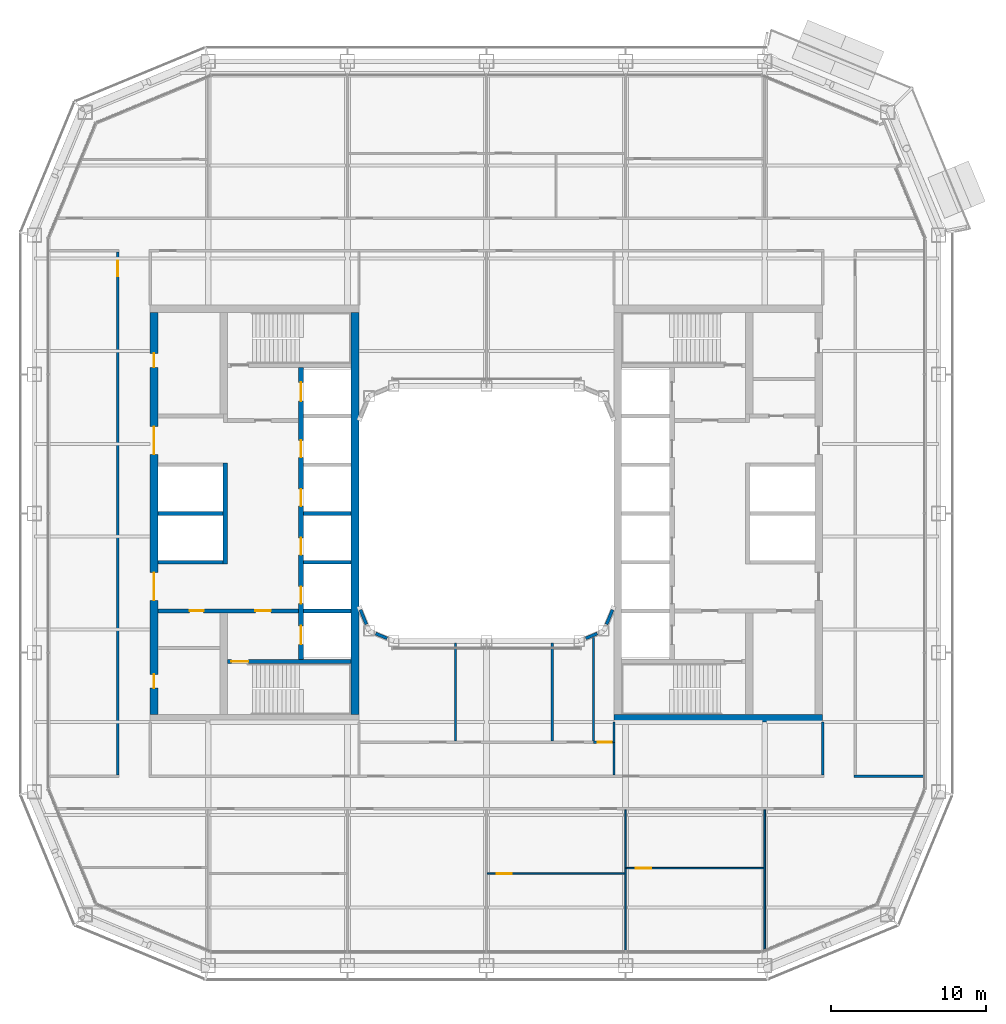
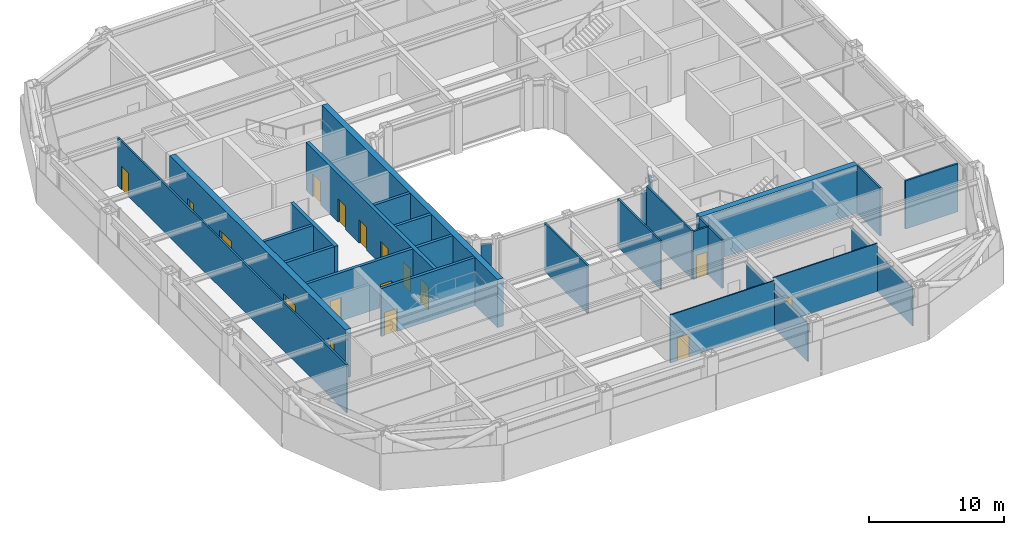
# One storey, part 12 of 24: 29 walls, 17 doors, 17 openings.
"""IFC4 building model written with IfcOpenShell, lengths in metres."""

from ifc_helpers import new_model, si_unit, direction, frame, frame_2d, origin, place, context, subcontext, project, spatial, rectangle, extrude, material, layer, layer_set, type_object, element, fill, save


model = new_model("IFC4")

# Units and contexts
model_context = context("Model", 3, precision=1e-05, world=origin(), true_north=direction((0.0, 1.0)))
body_context = subcontext(model_context, "Body", "Model", "MODEL_VIEW")
ifc_project = project(units=[si_unit("LENGTHUNIT", "METRE"), si_unit("AREAUNIT", "SQUARE_METRE"), si_unit("VOLUMEUNIT", "CUBIC_METRE"), si_unit("PLANEANGLEUNIT", "RADIAN"), si_unit("MASSUNIT", "GRAM", prefix="KILO")], contexts=[model_context])

# Site, building, storey
site_placement = place(None, origin())
site = spatial("IfcSite", under=ifc_project, at=site_placement, CompositionType="ELEMENT")
building_placement = place(site_placement, origin())
building = spatial("IfcBuilding", under=site, at=building_placement, Name="Siwar Civic Tower", CompositionType="ELEMENT")
storey_placement = place(building_placement, frame((0.0, 0.0, 113.699951171875)))
storey = spatial("IfcBuildingStorey", under=building, at=storey_placement, Name="L24", CompositionType="ELEMENT", Elevation=113.699951171875)

# Wall, opening, door
ifc_material_1 = material(Name="Gypsum board on steel studs", Category="steel")
ifc_layer_1 = layer(ifc_material_1, 0.14990234375)
ifc_layer_set_1 = layer_set([ifc_layer_1], Name="Gypsum board on steel studs")
wall_type_1 = type_object("IfcWallType", Name="COMPARTMENT PARTITION 150 EI 60", PredefinedType="PARTITIONING", material=ifc_layer_set_1)
wall_1_placement = place(storey_placement, frame((6.919921875, -14.800048828125, 0.0), z_axis=(0.0, 0.0, 1.0), x_axis=(1.0, 0.0, 0.0)))
wall_1 = element("IfcWall", 1, at=wall_1_placement, inside=storey, type_object=wall_type_1, Name="L24/wall/P10", PredefinedType="PARTITIONING", context=body_context, shape_type="SweptSolid", body=[
    extrude(rectangle(XDim=1.255126953125, YDim=0.14990234375, at=frame_2d((0.62744140625, 0.0))), origin(), (0.0, 0.0, 1.0), 4.35009765625),
])
opening_1_placement = place(wall_1_placement, frame((0.280029296875, 0.0, 0.0)))
opening_1 = element("IfcOpeningElement", 2, at=opening_1_placement, cuts=wall_1, Name="Opening D4", PredefinedType="OPENING", context=body_context, shape_type="SweptSolid", body=[
    extrude(rectangle(XDim=0.89990234375, YDim=2.10009765625, at=frame_2d((0.449951171875, 1.050048828125))), frame((0.0, 0.0849609375, 0.0), z_axis=(0.0, -1.0, 0.0), x_axis=(1.0, 0.0, 0.0)), (0.0, 0.0, 1.0), 0.169921875),
])
ifc_material_2 = material(Name="Timber, painted", Category="wood")
door_type_1 = type_object("IfcDoorType", Name="DOOR 900 X 2100 FD60", OperationType="SINGLE_SWING_LEFT", PredefinedType="DOOR", material=ifc_material_2)
door_1_placement = place(opening_1_placement, origin())
door_1 = element("IfcDoor", 3, at=door_1_placement, inside=storey, type_object=door_type_1, Name="L24-D28", OperationType="SINGLE_SWING_RIGHT", OverallHeight=2.10009765625, OverallWidth=0.89990234375, PredefinedType="DOOR", context=body_context, shape_type="SweptSolid", body=[
    extrude(rectangle(XDim=0.89990234375, YDim=2.10009765625, at=frame_2d((0.449951171875, 1.050048828125))), frame((0.0, 0.02490234375, 0.0), z_axis=(0.0, -1.0, 0.0), x_axis=(1.0, 0.0, 0.0)), (0.0, 0.0, 1.0), 0.050048828125),
])
fill(opening_1, door_1)

# Walls
wall_2_placement = place(storey_placement, frame((6.919921875, -14.72509765625, 0.0), z_axis=(0.0, 0.0, 1.0), x_axis=(0.0, 1.0, 0.0)))
element("IfcWall", 4, at=wall_2_placement, inside=storey, type_object=wall_type_1, Name="L24/wall/P34", PredefinedType="PARTITIONING", context=body_context, shape_type="SweptSolid", body=[
    extrude(rectangle(XDim=6.7001953125, YDim=0.14990234375, at=frame_2d((3.35009765625, 0.0))), origin(), (0.0, 0.0, 1.0), 4.35009765625),
])
wall_3_placement = place(storey_placement, frame((8.25, -14.800048828125, 0.0), z_axis=(0.0, 0.0, 1.0), x_axis=(0.0, 1.0, 0.0)))
element("IfcWall", 5, at=wall_3_placement, inside=storey, type_object=wall_type_1, Name="L24/wall/P37", PredefinedType="PARTITIONING", context=body_context, shape_type="SweptSolid", body=[
    extrude(rectangle(XDim=1.300048828125, YDim=0.14990234375, at=frame_2d((0.64990234375, 0.0))), origin(), (0.0, 0.0, 1.0), 4.35009765625),
])

# Wall, openings, doors
ifc_material_3 = material(Name="Concrete C60/75", Category="concrete")
ifc_layer_2 = layer(ifc_material_3, 0.25)
ifc_layer_set_2 = layer_set([ifc_layer_2], Name="Concrete C60/75")
wall_type_2 = type_object("IfcWallType", Name="CORE-WALL-RC250", PredefinedType="SHEAR", material=ifc_layer_set_2)
wall_4_placement = place(storey_placement, frame((-12.14990234375, -6.300048828125, 0.0), z_axis=(0.0, 0.0, 1.0), x_axis=(-1.0, 0.0, 0.0)))
wall_4 = element("IfcWall", 6, at=wall_4_placement, inside=storey, type_object=wall_type_2, Name="Core wall W", PredefinedType="SHEAR", context=body_context, shape_type="SweptSolid", body=[
    extrude(rectangle(XDim=9.10009765625, YDim=0.25, at=frame_2d((4.550048828125, 0.0))), origin(), (0.0, 0.0, 1.0), 4.35009765625),
])
opening_2_placement = place(wall_4_placement, frame((1.800048828125, 0.0, 0.0)))
opening_2 = element("IfcOpeningElement", 7, at=opening_2_placement, cuts=wall_4, Name="Opening L24-CW02", PredefinedType="OPENING", context=body_context, shape_type="SweptSolid", body=[
    extrude(rectangle(XDim=1.0, YDim=2.10009765625, at=frame_2d((0.5, 1.050048828125))), frame((0.0, 0.135009765625, 0.0), z_axis=(0.0, -1.0, 0.0), x_axis=(1.0, 0.0, 0.0)), (0.0, 0.0, 1.0), 0.27001953125),
])
opening_3_placement = place(wall_4_placement, frame((6.14990234375, 0.0, 0.0)))
opening_3 = element("IfcOpeningElement", 8, at=opening_3_placement, cuts=wall_4, Name="Opening L24-CW14", PredefinedType="OPENING", context=body_context, shape_type="SweptSolid", body=[
    extrude(rectangle(XDim=0.89990234375, YDim=2.10009765625, at=frame_2d((0.449951171875, 1.050048828125))), frame((0.0, 0.135009765625, 0.0), z_axis=(0.0, -1.0, 0.0), x_axis=(1.0, 0.0, 0.0)), (0.0, 0.0, 1.0), 0.27001953125),
])
ifc_material_4 = material(Name="Steel door leaf", Category="steel")
door_type_2 = type_object("IfcDoorType", Name="CORE-DOOR-FD30S", OperationType="SINGLE_SWING_LEFT", PredefinedType="DOOR", material=ifc_material_4)
door_2_placement = place(opening_2_placement, origin())
door_2 = element("IfcDoor", 9, at=door_2_placement, inside=storey, type_object=door_type_2, Name="Service lobby door L24-CW02", OperationType="SINGLE_SWING_RIGHT", OverallHeight=2.10009765625, OverallWidth=1.0, PredefinedType="DOOR", context=body_context, shape_type="SweptSolid", body=[
    extrude(rectangle(XDim=1.0, YDim=2.10009765625, at=frame_2d((0.5, 1.050048828125))), frame((0.0, 0.02490234375, 0.0), z_axis=(0.0, -1.0, 0.0), x_axis=(1.0, 0.0, 0.0)), (0.0, 0.0, 1.0), 0.050048828125),
])
fill(opening_2, door_2)
ifc_material_5 = material(Name="Steel door leaf", Category="steel")
door_type_3 = type_object("IfcDoorType", Name="CORE-DOOR-ROOM", OperationType="SINGLE_SWING_LEFT", PredefinedType="DOOR", material=ifc_material_5)
door_3_placement = place(opening_3_placement, origin())
door_3 = element("IfcDoor", 10, at=door_3_placement, inside=storey, type_object=door_type_3, Name="Core room door L24-CW14", OperationType="SINGLE_SWING_RIGHT", OverallHeight=2.10009765625, OverallWidth=0.89990234375, PredefinedType="DOOR", context=body_context, shape_type="SweptSolid", body=[
    extrude(rectangle(XDim=0.89990234375, YDim=2.10009765625, at=frame_2d((0.449951171875, 1.050048828125))), frame((0.0, 0.02490234375, 0.0), z_axis=(0.0, -1.0, 0.0), x_axis=(1.0, 0.0, 0.0)), (0.0, 0.0, 1.0), 0.050048828125),
])
fill(opening_3, door_3)

# Walls
for number, where, z_axis, x_axis, name in (
    (11, (-17.050048828125, 0.0, 0.0), (0.0, 0.0, 1.0), (-1.0, 0.0, 0.0), "Core wall W"),
    (12, (-17.050048828125, -3.14990234375, 0.0), (0.0, 0.0, 1.0), (-1.0, 0.0, 0.0), "Core wall W"),
):
    element("IfcWall", number, at=place(storey_placement, frame(where, z_axis=z_axis, x_axis=x_axis)), inside=storey, type_object=wall_type_2, Name=name, PredefinedType="SHEAR", context=body_context, shape_type="SweptSolid", body=[
        extrude(rectangle(XDim=4.199951171875, YDim=0.25, at=frame_2d((2.10009765625, 0.0))), origin(), (0.0, 0.0, 1.0), 4.35009765625),
    ])
for number, where, z_axis, x_axis, name in (
    (13, (-8.75, 0.0, 0.0), (0.0, 0.0, 1.0), (-1.0, 0.0, 0.0), "Core wall W"),
    (14, (-8.75, -3.14990234375, 0.0), (0.0, 0.0, 1.0), (-1.0, 0.0, 0.0), "Core wall W"),
    (15, (-8.75, -6.300048828125, 0.0), (0.0, 0.0, 1.0), (-1.0, 0.0, 0.0), "Core wall W"),
):
    element("IfcWall", number, at=place(storey_placement, frame(where, z_axis=z_axis, x_axis=x_axis)), inside=storey, type_object=wall_type_2, Name=name, PredefinedType="SHEAR", context=body_context, shape_type="SweptSolid", body=[
        extrude(rectangle(XDim=3.10009765625, YDim=0.25, at=frame_2d((1.550048828125, 0.0))), origin(), (0.0, 0.0, 1.0), 4.35009765625),
    ])

# Wall, opening, door
wall_5_placement = place(storey_placement, frame((-8.75, -9.574951171875, 0.0), z_axis=(0.0, 0.0, 1.0), x_axis=(-1.0, 0.0, 0.0)))
wall_5 = element("IfcWall", 16, at=wall_5_placement, inside=storey, type_object=wall_type_2, Name="Core wall W", PredefinedType="SHEAR", context=body_context, shape_type="SweptSolid", body=[
    extrude(rectangle(XDim=8.0, YDim=0.25, at=frame_2d((4.0, 0.0))), origin(), (0.0, 0.0, 1.0), 4.35009765625),
])
opening_4_placement = place(wall_5_placement, frame((6.64990234375, 0.0, 0.0)))
opening_4 = element("IfcOpeningElement", 17, at=opening_4_placement, cuts=wall_5, Name="Opening L24-CW04", PredefinedType="OPENING", context=body_context, shape_type="SweptSolid", body=[
    extrude(rectangle(XDim=1.10009765625, YDim=2.10009765625, at=frame_2d((0.550048828125, 1.050048828125))), frame((0.0, 0.135009765625, 0.0), z_axis=(0.0, -1.0, 0.0), x_axis=(1.0, 0.0, 0.0)), (0.0, 0.0, 1.0), 0.27001953125),
])
ifc_material_6 = material(Name="Steel door leaf", Category="steel")
door_type_4 = type_object("IfcDoorType", Name="CORE-DOOR-FD60S", OperationType="SINGLE_SWING_LEFT", PredefinedType="DOOR", material=ifc_material_6)
door_4_placement = place(opening_4_placement, origin())
door_4 = element("IfcDoor", 18, at=door_4_placement, inside=storey, type_object=door_type_4, Name="Stair door L24-CW04", OperationType="SINGLE_SWING_LEFT", OverallHeight=2.10009765625, OverallWidth=1.10009765625, PredefinedType="DOOR", context=body_context, shape_type="SweptSolid", body=[
    extrude(rectangle(XDim=1.10009765625, YDim=2.10009765625, at=frame_2d((0.550048828125, 1.050048828125))), frame((0.0, 0.02490234375, 0.0), z_axis=(0.0, -1.0, 0.0), x_axis=(1.0, 0.0, 0.0)), (0.0, 0.0, 1.0), 0.050048828125),
])
fill(opening_4, door_4)

# Wall, openings, doors
ifc_material_7 = material(Name="Concrete C60/75", Category="concrete")
ifc_layer_3 = layer(ifc_material_7, 0.300048828125)
ifc_layer_set_3 = layer_set([ifc_layer_3], Name="Concrete C60/75")
wall_type_3 = type_object("IfcWallType", Name="CORE-WALL-RC300", PredefinedType="SHEAR", material=ifc_layer_set_3)
wall_6_placement = place(storey_placement, frame((-12.0, -9.449951171875, 0.0), z_axis=(0.0, 0.0, 1.0), x_axis=(0.0, 1.0, 0.0)))
wall_6 = element("IfcWall", 19, at=wall_6_placement, inside=storey, type_object=wall_type_3, Name="Core wall W", PredefinedType="SHEAR", context=body_context, shape_type="SweptSolid", body=[
    extrude(rectangle(XDim=18.89990234375, YDim=0.300048828125, at=frame_2d((9.449951171875, 0.0))), origin(), (0.0, 0.0, 1.0), 4.35009765625),
])
opening_5_placement = place(wall_6_placement, frame((3.625, 0.0, 0.0)))
opening_5 = element("IfcOpeningElement", 20, at=opening_5_placement, cuts=wall_6, Name="Opening L24-CW07", PredefinedType="OPENING", context=body_context, shape_type="SweptSolid", body=[
    extrude(rectangle(XDim=1.10009765625, YDim=2.10009765625, at=frame_2d((0.550048828125, 1.050048828125))), frame((0.0, 0.16015625, 0.0), z_axis=(0.0, -1.0, 0.0), x_axis=(1.0, 0.0, 0.0)), (0.0, 0.0, 1.0), 0.320068359375),
])
opening_6_placement = place(wall_6_placement, frame((6.77490234375, 0.0, 0.0)))
opening_6 = element("IfcOpeningElement", 21, at=opening_6_placement, cuts=wall_6, Name="Opening L24-CW08", PredefinedType="OPENING", context=body_context, shape_type="SweptSolid", body=[
    extrude(rectangle(XDim=1.10009765625, YDim=2.10009765625, at=frame_2d((0.550048828125, 1.050048828125))), frame((0.0, 0.16015625, 0.0), z_axis=(0.0, -1.0, 0.0), x_axis=(1.0, 0.0, 0.0)), (0.0, 0.0, 1.0), 0.320068359375),
])
opening_7_placement = place(wall_6_placement, frame((9.925048828125, 0.0, 0.0)))
opening_7 = element("IfcOpeningElement", 22, at=opening_7_placement, cuts=wall_6, Name="Opening L24-CW09", PredefinedType="OPENING", context=body_context, shape_type="SweptSolid", body=[
    extrude(rectangle(XDim=1.10009765625, YDim=2.10009765625, at=frame_2d((0.550048828125, 1.050048828125))), frame((0.0, 0.16015625, 0.0), z_axis=(0.0, -1.0, 0.0), x_axis=(1.0, 0.0, 0.0)), (0.0, 0.0, 1.0), 0.320068359375),
])
opening_8_placement = place(wall_6_placement, frame((13.074951171875, 0.0, 0.0)))
opening_8 = element("IfcOpeningElement", 23, at=opening_8_placement, cuts=wall_6, Name="Opening L24-CW10", PredefinedType="OPENING", context=body_context, shape_type="SweptSolid", body=[
    extrude(rectangle(XDim=1.10009765625, YDim=2.10009765625, at=frame_2d((0.550048828125, 1.050048828125))), frame((0.0, 0.16015625, 0.0), z_axis=(0.0, -1.0, 0.0), x_axis=(1.0, 0.0, 0.0)), (0.0, 0.0, 1.0), 0.320068359375),
])
opening_9_placement = place(wall_6_placement, frame((16.72509765625, 0.0, 0.0)))
opening_9 = element("IfcOpeningElement", 24, at=opening_9_placement, cuts=wall_6, Name="Opening L24-CW11", PredefinedType="OPENING", context=body_context, shape_type="SweptSolid", body=[
    extrude(rectangle(XDim=1.199951171875, YDim=2.10009765625, at=frame_2d((0.60009765625, 1.050048828125))), frame((0.0, 0.16015625, 0.0), z_axis=(0.0, -1.0, 0.0), x_axis=(1.0, 0.0, 0.0)), (0.0, 0.0, 1.0), 0.320068359375),
])
opening_10_placement = place(wall_6_placement, frame((0.97509765625, 0.0, 0.0)))
opening_10 = element("IfcOpeningElement", 25, at=opening_10_placement, cuts=wall_6, Name="Opening L24-CW12", PredefinedType="OPENING", context=body_context, shape_type="SweptSolid", body=[
    extrude(rectangle(XDim=1.199951171875, YDim=2.10009765625, at=frame_2d((0.60009765625, 1.050048828125))), frame((0.0, 0.16015625, 0.0), z_axis=(0.0, -1.0, 0.0), x_axis=(1.0, 0.0, 0.0)), (0.0, 0.0, 1.0), 0.320068359375),
])
ifc_material_8 = material(Name="Steel door leaf", Category="steel")
door_type_5 = type_object("IfcDoorType", Name="CORE-DOOR-LD", OperationType="DOUBLE_DOOR_SLIDING", PredefinedType="DOOR", material=ifc_material_8)
door_5_placement = place(opening_5_placement, origin())
door_5 = element("IfcDoor", 26, at=door_5_placement, inside=storey, type_object=door_type_5, Name="Landing door LR1 L24-CW07", OperationType="DOUBLE_DOOR_SLIDING", OverallHeight=2.10009765625, OverallWidth=1.10009765625, PredefinedType="DOOR", context=body_context, shape_type="SweptSolid", body=[
    extrude(rectangle(XDim=1.10009765625, YDim=2.10009765625, at=frame_2d((0.550048828125, 1.050048828125))), frame((0.0, 0.02490234375, 0.0), z_axis=(0.0, -1.0, 0.0), x_axis=(1.0, 0.0, 0.0)), (0.0, 0.0, 1.0), 0.050048828125),
])
fill(opening_5, door_5)
door_6_placement = place(opening_6_placement, origin())
door_6 = element("IfcDoor", 27, at=door_6_placement, inside=storey, type_object=door_type_5, Name="Landing door LR2 L24-CW08", OperationType="DOUBLE_DOOR_SLIDING", OverallHeight=2.10009765625, OverallWidth=1.10009765625, PredefinedType="DOOR", context=body_context, shape_type="SweptSolid", body=[
    extrude(rectangle(XDim=1.10009765625, YDim=2.10009765625, at=frame_2d((0.550048828125, 1.050048828125))), frame((0.0, 0.02490234375, 0.0), z_axis=(0.0, -1.0, 0.0), x_axis=(1.0, 0.0, 0.0)), (0.0, 0.0, 1.0), 0.050048828125),
])
fill(opening_6, door_6)
door_7_placement = place(opening_7_placement, origin())
door_7 = element("IfcDoor", 28, at=door_7_placement, inside=storey, type_object=door_type_5, Name="Landing door LR3 L24-CW09", OperationType="DOUBLE_DOOR_SLIDING", OverallHeight=2.10009765625, OverallWidth=1.10009765625, PredefinedType="DOOR", context=body_context, shape_type="SweptSolid", body=[
    extrude(rectangle(XDim=1.10009765625, YDim=2.10009765625, at=frame_2d((0.550048828125, 1.050048828125))), frame((0.0, 0.02490234375, 0.0), z_axis=(0.0, -1.0, 0.0), x_axis=(1.0, 0.0, 0.0)), (0.0, 0.0, 1.0), 0.050048828125),
])
fill(opening_7, door_7)
door_8_placement = place(opening_8_placement, origin())
door_8 = element("IfcDoor", 29, at=door_8_placement, inside=storey, type_object=door_type_5, Name="Landing door LR4 L24-CW10", OperationType="DOUBLE_DOOR_SLIDING", OverallHeight=2.10009765625, OverallWidth=1.10009765625, PredefinedType="DOOR", context=body_context, shape_type="SweptSolid", body=[
    extrude(rectangle(XDim=1.10009765625, YDim=2.10009765625, at=frame_2d((0.550048828125, 1.050048828125))), frame((0.0, 0.02490234375, 0.0), z_axis=(0.0, -1.0, 0.0), x_axis=(1.0, 0.0, 0.0)), (0.0, 0.0, 1.0), 0.050048828125),
])
fill(opening_8, door_8)
ifc_material_9 = material(Name="Steel door leaf", Category="steel")
door_type_6 = type_object("IfcDoorType", Name="CORE-DOOR-LDW", OperationType="DOUBLE_DOOR_SLIDING", PredefinedType="DOOR", material=ifc_material_9)
door_9_placement = place(opening_9_placement, origin())
door_9 = element("IfcDoor", 30, at=door_9_placement, inside=storey, type_object=door_type_6, Name="Landing door FF1 L24-CW11", OperationType="DOUBLE_DOOR_SLIDING", OverallHeight=2.10009765625, OverallWidth=1.199951171875, PredefinedType="DOOR", context=body_context, shape_type="SweptSolid", body=[
    extrude(rectangle(XDim=1.199951171875, YDim=2.10009765625, at=frame_2d((0.60009765625, 1.050048828125))), frame((0.0, 0.02490234375, 0.0), z_axis=(0.0, -1.0, 0.0), x_axis=(1.0, 0.0, 0.0)), (0.0, 0.0, 1.0), 0.050048828125),
])
fill(opening_9, door_9)
door_10_placement = place(opening_10_placement, origin())
door_10 = element("IfcDoor", 31, at=door_10_placement, inside=storey, type_object=door_type_6, Name="Landing door SV1 L24-CW12", OperationType="DOUBLE_DOOR_SLIDING", OverallHeight=2.10009765625, OverallWidth=1.199951171875, PredefinedType="DOOR", context=body_context, shape_type="SweptSolid", body=[
    extrude(rectangle(XDim=1.199951171875, YDim=2.10009765625, at=frame_2d((0.60009765625, 1.050048828125))), frame((0.0, 0.02490234375, 0.0), z_axis=(0.0, -1.0, 0.0), x_axis=(1.0, 0.0, 0.0)), (0.0, 0.0, 1.0), 0.050048828125),
])
fill(opening_10, door_10)

# Wall
wall_7_placement = place(storey_placement, frame((-16.89990234375, -3.27490234375, 0.0), z_axis=(0.0, 0.0, 1.0), x_axis=(0.0, 1.0, 0.0)))
element("IfcWall", 32, at=wall_7_placement, inside=storey, type_object=wall_type_3, Name="Core wall W", PredefinedType="SHEAR", context=body_context, shape_type="SweptSolid", body=[
    extrude(rectangle(XDim=6.5498046875, YDim=0.300048828125, at=frame_2d((3.27490234375, 0.0))), origin(), (0.0, 0.0, 1.0), 4.35009765625),
])

# Wall, openings, doors
ifc_material_10 = material(Name="Concrete C60/75", Category="concrete")
ifc_layer_4 = layer(ifc_material_10, 0.5)
ifc_layer_set_4 = layer_set([ifc_layer_4], Name="Concrete C60/75")
wall_type_4 = type_object("IfcWallType", Name="CORE-WALL-RC500", PredefinedType="SHEAR", material=ifc_layer_set_4)
wall_8_placement = place(storey_placement, frame((-21.5, -13.0, 0.0), z_axis=(0.0, 0.0, 1.0), x_axis=(0.0, 1.0, 0.0)))
wall_8 = element("IfcWall", 33, at=wall_8_placement, inside=storey, type_object=wall_type_4, Name="Core wall W", PredefinedType="SHEAR", context=body_context, shape_type="SweptSolid", body=[
    extrude(rectangle(XDim=26.0, YDim=0.5, at=frame_2d((13.0, 0.0))), origin(), (0.0, 0.0, 1.0), 4.35009765625),
])
opening_11_placement = place(wall_8_placement, frame((16.824951171875, 0.0, 0.0)))
opening_11 = element("IfcOpeningElement", 34, at=opening_11_placement, cuts=wall_8, Name="Opening L24-CW05", PredefinedType="OPENING", context=body_context, shape_type="SweptSolid", body=[
    extrude(rectangle(XDim=1.800048828125, YDim=2.10009765625, at=frame_2d((0.89990234375, 1.050048828125))), frame((0.0, 0.260009765625, 0.0), z_axis=(0.0, -1.0, 0.0), x_axis=(1.0, 0.0, 0.0)), (0.0, 0.0, 1.0), 0.52001953125),
])
opening_12_placement = place(wall_8_placement, frame((7.375, 0.0, 0.0)))
opening_12 = element("IfcOpeningElement", 35, at=opening_12_placement, cuts=wall_8, Name="Opening L24-CW06", PredefinedType="OPENING", context=body_context, shape_type="SweptSolid", body=[
    extrude(rectangle(XDim=1.800048828125, YDim=2.10009765625, at=frame_2d((0.89990234375, 1.050048828125))), frame((0.0, 0.260009765625, 0.0), z_axis=(0.0, -1.0, 0.0), x_axis=(1.0, 0.0, 0.0)), (0.0, 0.0, 1.0), 0.52001953125),
])
opening_13_placement = place(wall_8_placement, frame((22.449951171875, 0.0, 0.0)))
opening_13 = element("IfcOpeningElement", 36, at=opening_13_placement, cuts=wall_8, Name="Opening L24-CW13", PredefinedType="OPENING", context=body_context, shape_type="SweptSolid", body=[
    extrude(rectangle(XDim=0.89990234375, YDim=2.10009765625, at=frame_2d((0.449951171875, 1.050048828125))), frame((0.0, 0.260009765625, 0.0), z_axis=(0.0, -1.0, 0.0), x_axis=(1.0, 0.0, 0.0)), (0.0, 0.0, 1.0), 0.52001953125),
])
opening_14_placement = place(wall_8_placement, frame((1.699951171875, 0.0, 0.0)))
opening_14 = element("IfcOpeningElement", 37, at=opening_14_placement, cuts=wall_8, Name="Opening L24-CW15", PredefinedType="OPENING", context=body_context, shape_type="SweptSolid", body=[
    extrude(rectangle(XDim=0.89990234375, YDim=2.10009765625, at=frame_2d((0.449951171875, 1.050048828125))), frame((0.0, 0.260009765625, 0.0), z_axis=(0.0, -1.0, 0.0), x_axis=(1.0, 0.0, 0.0)), (0.0, 0.0, 1.0), 0.52001953125),
])
ifc_material_11 = material(Name="Steel door leaf", Category="steel")
door_type_7 = type_object("IfcDoorType", Name="CORE-DOOR-PORT", OperationType="DOUBLE_DOOR_DOUBLE_SWING", PredefinedType="DOOR", material=ifc_material_11)
door_11_placement = place(opening_11_placement, origin())
door_11 = element("IfcDoor", 38, at=door_11_placement, inside=storey, type_object=door_type_7, Name="Core entrance door L24-CW05", OperationType="DOUBLE_DOOR_DOUBLE_SWING", OverallHeight=2.10009765625, OverallWidth=1.800048828125, PredefinedType="DOOR", context=body_context, shape_type="SweptSolid", body=[
    extrude(rectangle(XDim=1.800048828125, YDim=2.10009765625, at=frame_2d((0.89990234375, 1.050048828125))), frame((0.0, 0.02490234375, 0.0), z_axis=(0.0, -1.0, 0.0), x_axis=(1.0, 0.0, 0.0)), (0.0, 0.0, 1.0), 0.050048828125),
])
fill(opening_11, door_11)
door_12_placement = place(opening_12_placement, origin())
door_12 = element("IfcDoor", 39, at=door_12_placement, inside=storey, type_object=door_type_7, Name="Core entrance door L24-CW06", OperationType="DOUBLE_DOOR_DOUBLE_SWING", OverallHeight=2.10009765625, OverallWidth=1.800048828125, PredefinedType="DOOR", context=body_context, shape_type="SweptSolid", body=[
    extrude(rectangle(XDim=1.800048828125, YDim=2.10009765625, at=frame_2d((0.89990234375, 1.050048828125))), frame((0.0, 0.02490234375, 0.0), z_axis=(0.0, -1.0, 0.0), x_axis=(1.0, 0.0, 0.0)), (0.0, 0.0, 1.0), 0.050048828125),
])
fill(opening_12, door_12)
door_13_placement = place(opening_13_placement, origin())
door_13 = element("IfcDoor", 40, at=door_13_placement, inside=storey, type_object=door_type_3, Name="Core room door L24-CW13", OperationType="SINGLE_SWING_RIGHT", OverallHeight=2.10009765625, OverallWidth=0.89990234375, PredefinedType="DOOR", context=body_context, shape_type="SweptSolid", body=[
    extrude(rectangle(XDim=0.89990234375, YDim=2.10009765625, at=frame_2d((0.449951171875, 1.050048828125))), frame((0.0, 0.02490234375, 0.0), z_axis=(0.0, -1.0, 0.0), x_axis=(1.0, 0.0, 0.0)), (0.0, 0.0, 1.0), 0.050048828125),
])
fill(opening_13, door_13)
door_14_placement = place(opening_14_placement, origin())
door_14 = element("IfcDoor", 41, at=door_14_placement, inside=storey, type_object=door_type_3, Name="Core room door L24-CW15", OperationType="SINGLE_SWING_RIGHT", OverallHeight=2.10009765625, OverallWidth=0.89990234375, PredefinedType="DOOR", context=body_context, shape_type="SweptSolid", body=[
    extrude(rectangle(XDim=0.89990234375, YDim=2.10009765625, at=frame_2d((0.449951171875, 1.050048828125))), frame((0.0, 0.02490234375, 0.0), z_axis=(0.0, -1.0, 0.0), x_axis=(1.0, 0.0, 0.0)), (0.0, 0.0, 1.0), 0.050048828125),
])
fill(opening_14, door_14)

# Walls
wall_9_placement = place(storey_placement, frame((8.25, -13.25, 0.0), z_axis=(0.0, 0.0, 1.0), x_axis=(1.0, 0.0, 0.0)))
element("IfcWall", 42, at=wall_9_placement, inside=storey, type_object=wall_type_4, Name="Core wall E", PredefinedType="SHEAR", context=body_context, shape_type="SweptSolid", body=[
    extrude(rectangle(XDim=13.5, YDim=0.5, at=frame_2d((6.75, 0.0))), origin(), (0.0, 0.0, 1.0), 4.35009765625),
])
ifc_material_12 = material(Name="Concrete C60/75", Category="concrete")
ifc_layer_5 = layer(ifc_material_12, 0.5)
ifc_layer_set_5 = layer_set([ifc_layer_5], Name="Concrete C60/75")
wall_type_5 = type_object("IfcWallType", Name="CORE-WALL-RC500-EXT", PredefinedType="SHEAR", material=ifc_layer_set_5)
wall_10_placement = place(storey_placement, frame((-8.5, -13.0, 0.0), z_axis=(0.0, 0.0, 1.0), x_axis=(0.0, 1.0, 0.0)))
element("IfcWall", 43, at=wall_10_placement, inside=storey, type_object=wall_type_5, Name="Core wall W", PredefinedType="SHEAR", context=body_context, shape_type="SweptSolid", body=[
    extrude(rectangle(XDim=26.0, YDim=0.5, at=frame_2d((13.0, 0.0))), origin(), (0.0, 0.0, 1.0), 4.35009765625),
])
ifc_material_13 = material(Name="Gypsum board on steel studs", Category="steel")
ifc_layer_6 = layer(ifc_material_13, 0.14990234375)
ifc_layer_set_6 = layer_set([ifc_layer_6], Name="Gypsum board on steel studs")
wall_type_6 = type_object("IfcWallType", Name="CORRIDOR PARTITION 150 EI 30", PredefinedType="PARTITIONING", material=ifc_layer_set_6)
wall_11_placement = place(storey_placement, frame((23.77490234375, -17.0, 0.0), z_axis=(0.0, 0.0, 1.0), x_axis=(1.0, 0.0, 0.0)))
element("IfcWall", 44, at=wall_11_placement, inside=storey, type_object=wall_type_6, Name="L24/wall/P08", PredefinedType="PARTITIONING", context=body_context, shape_type="SweptSolid", body=[
    extrude(rectangle(XDim=4.485107421875, YDim=0.14990234375, at=frame_2d((2.24267578125, 0.0))), origin(), (0.0, 0.0, 1.0), 4.35009765625),
])

# Wall, opening, door
wall_12_placement = place(storey_placement, frame((-23.85009765625, -16.925048828125, 0.0), z_axis=(0.0, 0.0, 1.0), x_axis=(0.0, 1.0, 0.0)))
wall_12 = element("IfcWall", 45, at=wall_12_placement, inside=storey, type_object=wall_type_6, Name="L24/wall/P18", PredefinedType="PARTITIONING", context=body_context, shape_type="SweptSolid", body=[
    extrude(rectangle(XDim=33.85009765625, YDim=0.14990234375, at=frame_2d((16.925048828125, 0.0))), origin(), (0.0, 0.0, 1.0), 4.35009765625),
])
opening_15_placement = place(wall_12_placement, frame((32.27490234375, 0.0, 0.0)))
opening_15 = element("IfcOpeningElement", 46, at=opening_15_placement, cuts=wall_12, Name="Opening D1", PredefinedType="OPENING", context=body_context, shape_type="SweptSolid", body=[
    extrude(rectangle(XDim=1.0, YDim=2.10009765625, at=frame_2d((0.5, 1.050048828125))), frame((0.0, 0.0849609375, 0.0), z_axis=(0.0, -1.0, 0.0), x_axis=(1.0, 0.0, 0.0)), (0.0, 0.0, 1.0), 0.169921875),
])
ifc_material_14 = material(Name="Timber, painted", Category="wood")
door_type_8 = type_object("IfcDoorType", Name="DOOR 1000 X 2100 FD30", OperationType="SINGLE_SWING_LEFT", PredefinedType="DOOR", material=ifc_material_14)
door_15_placement = place(opening_15_placement, origin())
door_15 = element("IfcDoor", 47, at=door_15_placement, inside=storey, type_object=door_type_8, Name="L24-D33", OperationType="SINGLE_SWING_LEFT", OverallHeight=2.10009765625, OverallWidth=1.0, PredefinedType="DOOR", context=body_context, shape_type="SweptSolid", body=[
    extrude(rectangle(XDim=1.0, YDim=2.10009765625, at=frame_2d((0.5, 1.050048828125))), frame((0.0, 0.02490234375, 0.0), z_axis=(0.0, -1.0, 0.0), x_axis=(1.0, 0.0, 0.0)), (0.0, 0.0, 1.0), 0.050048828125),
])
fill(opening_15, door_15)

# Walls
for number, where, z_axis, x_axis, name in (
    (48, (-2.0, -14.72509765625, 0.0), (0.0, 0.0, 1.0), (0.0, 1.0, 0.0), "L24/wall/P27"),
    (49, (4.25, -14.72509765625, 0.0), (0.0, 0.0, 1.0), (0.0, 1.0, 0.0), "L24/wall/P32"),
):
    element("IfcWall", number, at=place(storey_placement, frame(where, z_axis=z_axis, x_axis=x_axis)), inside=storey, type_object=wall_type_6, Name=name, PredefinedType="PARTITIONING", context=body_context, shape_type="SweptSolid", body=[
        extrude(rectangle(XDim=6.35498046875, YDim=0.14990234375, at=frame_2d((3.177490234375, 0.0))), origin(), (0.0, 0.0, 1.0), 4.35009765625),
    ])
wall_13_placement = place(storey_placement, frame((8.25, -16.925048828125, 0.0), z_axis=(0.0, 0.0, 1.0), x_axis=(0.0, 1.0, 0.0)))
element("IfcWall", 50, at=wall_13_placement, inside=storey, type_object=wall_type_6, Name="L24/wall/P36", PredefinedType="PARTITIONING", context=body_context, shape_type="SweptSolid", body=[
    extrude(rectangle(XDim=2.125, YDim=0.14990234375, at=frame_2d((1.0625, 0.0))), origin(), (0.0, 0.0, 1.0), 4.35009765625),
])
wall_14_placement = place(storey_placement, frame((21.75, -16.925048828125, 0.0), z_axis=(0.0, 0.0, 1.0), x_axis=(0.0, 1.0, 0.0)))
element("IfcWall", 51, at=wall_14_placement, inside=storey, type_object=wall_type_6, Name="L24/wall/P42", PredefinedType="PARTITIONING", context=body_context, shape_type="SweptSolid", body=[
    extrude(rectangle(XDim=3.425048828125, YDim=0.14990234375, at=frame_2d((1.71240234375, 0.0))), origin(), (0.0, 0.0, 1.0), 4.35009765625),
])
ifc_material_15 = material(Name="Aluminium clad insulated panel", Category="aluminium")
ifc_layer_7 = layer(ifc_material_15, 0.199951171875)
ifc_layer_set_7 = layer_set([ifc_layer_7], Name="Aluminium clad insulated panel")
wall_type_7 = type_object("IfcWallType", Name="ENV-WALL-WELL", PredefinedType="STANDARD", material=ifc_layer_set_7)
wall_15_placement = place(storey_placement, frame((6.422607421875, -8.074951171875, 0.0), z_axis=(0.0, 0.0, 1.0), x_axis=(0.923817771127, 0.382832503518, 0.0)))
element("IfcWall", 52, at=wall_15_placement, inside=storey, type_object=wall_type_7, Name="Light well corner wall SE1", PredefinedType="STANDARD", context=body_context, shape_type="SweptSolid", body=[
    extrude(rectangle(XDim=0.807373046875, YDim=0.199951171875, at=frame_2d((0.40380859375, 0.0))), origin(), (0.0, 0.0, 1.0), 3.825927734375),
])
for number, where, z_axis, x_axis, name in (
    (53, (7.765869140625, -7.16845703125, 0.0), (0.0, 0.0, 1.0), (0.382769662028, 0.923843810301, 0.0), "Light well corner wall SE2"),
    (54, (-8.154296875, -6.23095703125, 0.0), (0.0, 0.0, 1.0), (0.382769662028, -0.923843810301, 0.0), "Light well corner wall SW1"),
):
    element("IfcWall", number, at=place(storey_placement, frame(where, z_axis=z_axis, x_axis=x_axis)), inside=storey, type_object=wall_type_7, Name=name, PredefinedType="STANDARD", context=body_context, shape_type="SweptSolid", body=[
        extrude(rectangle(XDim=1.014892578125, YDim=0.199951171875, at=frame_2d((0.50732421875, 0.0))), origin(), (0.0, 0.0, 1.0), 3.825927734375),
    ])
wall_16_placement = place(storey_placement, frame((-7.16845703125, -7.765869140625, 0.0), z_axis=(0.0, 0.0, 1.0), x_axis=(0.923817771127, -0.382832503518, 0.0)))
element("IfcWall", 55, at=wall_16_placement, inside=storey, type_object=wall_type_7, Name="Light well corner wall SW2", PredefinedType="STANDARD", context=body_context, shape_type="SweptSolid", body=[
    extrude(rectangle(XDim=0.807373046875, YDim=0.199951171875, at=frame_2d((0.40380859375, 0.0))), origin(), (0.0, 0.0, 1.0), 3.825927734375),
])

# Wall, opening, door
ifc_material_16 = material(Name="Gypsum board on steel studs", Category="steel")
ifc_layer_8 = layer(ifc_material_16, 0.10009765625)
ifc_layer_set_8 = layer_set([ifc_layer_8], Name="Gypsum board on steel studs")
wall_type_8 = type_object("IfcWallType", Name="PARTITION 100 GYPSUM", PredefinedType="PARTITIONING", material=ifc_layer_set_8)
wall_17_placement = place(storey_placement, frame((0.050048828125, -23.300048828125, 0.0), z_axis=(0.0, 0.0, 1.0), x_axis=(1.0, 0.0, 0.0)))
wall_17 = element("IfcWall", 56, at=wall_17_placement, inside=storey, type_object=wall_type_8, Name="L24/wall/P02", PredefinedType="PARTITIONING", context=body_context, shape_type="SweptSolid", body=[
    extrude(rectangle(XDim=8.89990234375, YDim=0.10009765625, at=frame_2d((4.449951171875, 0.0))), origin(), (0.0, 0.0, 1.0), 4.35009765625),
])
opening_16_placement = place(wall_17_placement, frame((0.60009765625, 0.0, 0.0)))
opening_16 = element("IfcOpeningElement", 57, at=opening_16_placement, cuts=wall_17, Name="Opening D2", PredefinedType="OPENING", context=body_context, shape_type="SweptSolid", body=[
    extrude(rectangle(XDim=1.0, YDim=2.10009765625, at=frame_2d((0.5, 1.050048828125))), frame((0.0, 0.06005859375, 0.0), z_axis=(0.0, -1.0, 0.0), x_axis=(1.0, 0.0, 0.0)), (0.0, 0.0, 1.0), 0.1201171875),
])
ifc_material_17 = material(Name="Timber, painted", Category="wood")
door_type_9 = type_object("IfcDoorType", Name="DOOR 1000 X 2100", OperationType="SINGLE_SWING_LEFT", PredefinedType="DOOR", material=ifc_material_17)
door_16_placement = place(opening_16_placement, origin())
door_16 = element("IfcDoor", 58, at=door_16_placement, inside=storey, type_object=door_type_9, Name="L24-D13", OperationType="SINGLE_SWING_LEFT", OverallHeight=2.10009765625, OverallWidth=1.0, PredefinedType="DOOR", context=body_context, shape_type="SweptSolid", body=[
    extrude(rectangle(XDim=1.0, YDim=2.10009765625, at=frame_2d((0.5, 1.050048828125))), frame((0.0, 0.02490234375, 0.0), z_axis=(0.0, -1.0, 0.0), x_axis=(1.0, 0.0, 0.0)), (0.0, 0.0, 1.0), 0.050048828125),
])
fill(opening_16, door_16)

wall_18_placement = place(storey_placement, frame((9.050048828125, -22.947021484375, 0.0), z_axis=(0.0, 0.0, 1.0), x_axis=(1.0, 0.0, 0.0)))
wall_18 = element("IfcWall", 59, at=wall_18_placement, inside=storey, type_object=wall_type_8, Name="L24/wall/P03", PredefinedType="PARTITIONING", context=body_context, shape_type="SweptSolid", body=[
    extrude(rectangle(XDim=8.89990234375, YDim=0.10009765625, at=frame_2d((4.449951171875, 0.0))), origin(), (0.0, 0.0, 1.0), 4.35009765625),
])
opening_17_placement = place(wall_18_placement, frame((0.60009765625, 0.0, 0.0)))
opening_17 = element("IfcOpeningElement", 60, at=opening_17_placement, cuts=wall_18, Name="Opening D2", PredefinedType="OPENING", context=body_context, shape_type="SweptSolid", body=[
    extrude(rectangle(XDim=1.0, YDim=2.10009765625, at=frame_2d((0.5, 1.050048828125))), frame((0.0, 0.06005859375, 0.0), z_axis=(0.0, -1.0, 0.0), x_axis=(1.0, 0.0, 0.0)), (0.0, 0.0, 1.0), 0.1201171875),
])
door_17_placement = place(opening_17_placement, origin())
door_17 = element("IfcDoor", 61, at=door_17_placement, inside=storey, type_object=door_type_9, Name="L24-D15", OperationType="SINGLE_SWING_LEFT", OverallHeight=2.10009765625, OverallWidth=1.0, PredefinedType="DOOR", context=body_context, shape_type="SweptSolid", body=[
    extrude(rectangle(XDim=1.0, YDim=2.10009765625, at=frame_2d((0.5, 1.050048828125))), frame((0.0, 0.02490234375, 0.0), z_axis=(0.0, -1.0, 0.0), x_axis=(1.0, 0.0, 0.0)), (0.0, 0.0, 1.0), 0.050048828125),
])
fill(opening_17, door_17)

# Walls
wall_19_placement = place(storey_placement, frame((9.0, -28.260009765625, 0.0), z_axis=(0.0, 0.0, 1.0), x_axis=(0.0, 1.0, 0.0)))
element("IfcWall", 62, at=wall_19_placement, inside=storey, type_object=wall_type_8, Name="L24/wall/P38", PredefinedType="PARTITIONING", context=body_context, shape_type="SweptSolid", body=[
    extrude(rectangle(XDim=9.0849609375, YDim=0.10009765625, at=frame_2d((4.54248046875, 0.0))), origin(), (0.0, 0.0, 1.0), 3.449951171875),
])
wall_20_placement = place(storey_placement, frame((18.0, -28.177978515625, 0.0), z_axis=(0.0, 0.0, 1.0), x_axis=(0.0, 1.0, 0.0)))
element("IfcWall", 63, at=wall_20_placement, inside=storey, type_object=wall_type_8, Name="L24/wall/P40", PredefinedType="PARTITIONING", context=body_context, shape_type="SweptSolid", body=[
    extrude(rectangle(XDim=9.0029296875, YDim=0.10009765625, at=frame_2d((4.50146484375, 0.0))), origin(), (0.0, 0.0, 1.0), 3.449951171875),
])

save(model, "model.ifc")
